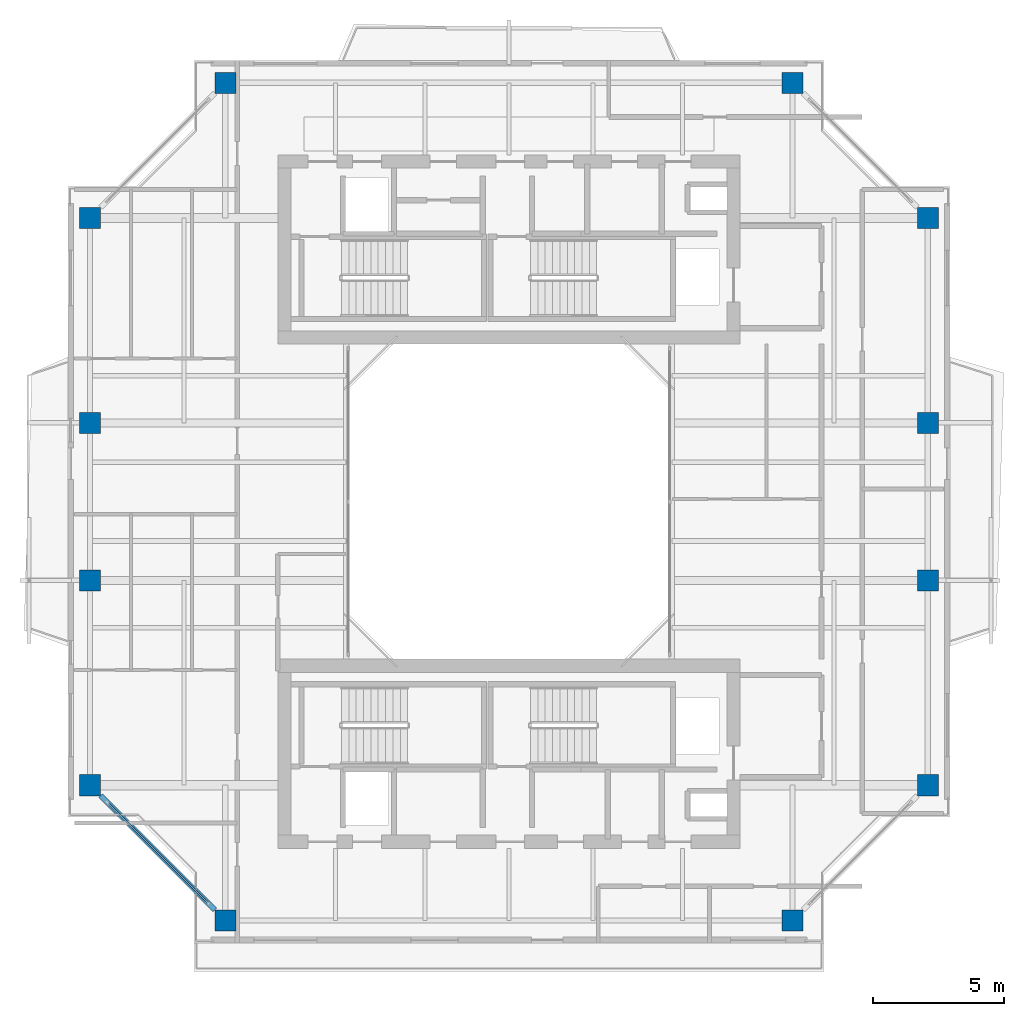
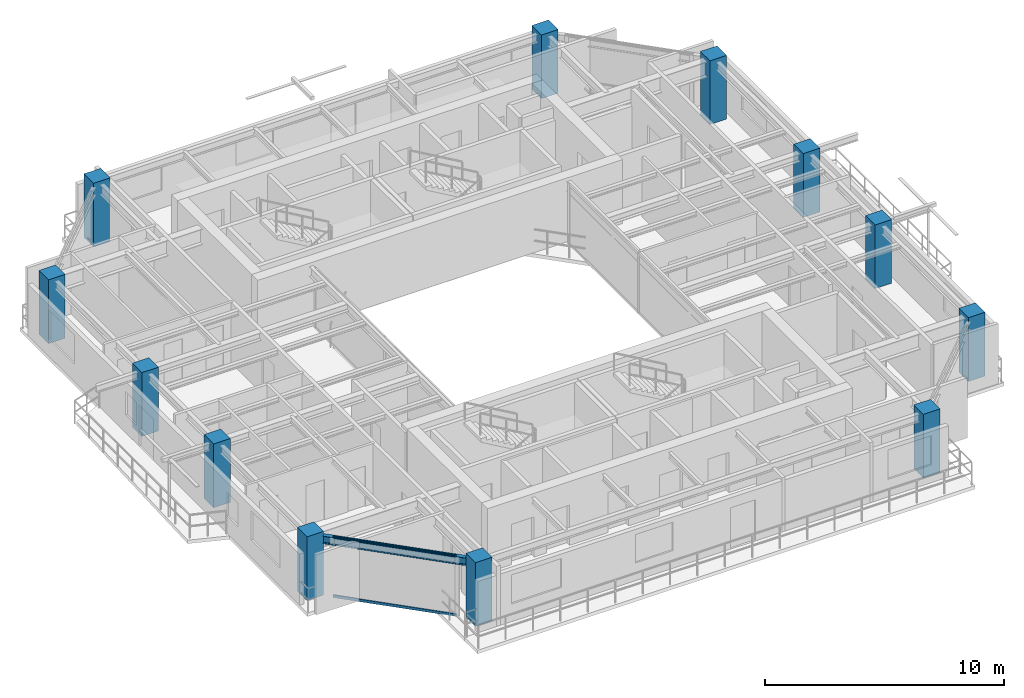
# One storey, part 1 of 16: 12 columns, 2 members, 1 beam, 1 element without a shape of its own.
"""IFC4 building model written with IfcOpenShell, lengths in metres."""

from ifc_helpers import new_model, si_unit, direction, frame, origin, origin_2d, place, context, subcontext, project, spatial, rectangle, i_section, extrude, source, transform, mapped, material, layer, layer_set, material_profile, profile_set, type_object, element, aggregate, save


model = new_model("IFC4")

# Units and contexts
model_context = context("Model", 3, precision=1e-05, world=origin(), true_north=direction((0.0, 1.0)))
body_context = subcontext(model_context, "Body", "Model", "MODEL_VIEW")
ifc_project = project(units=[si_unit("LENGTHUNIT", "METRE"), si_unit("AREAUNIT", "SQUARE_METRE"), si_unit("VOLUMEUNIT", "CUBIC_METRE"), si_unit("PLANEANGLEUNIT", "RADIAN"), si_unit("MASSUNIT", "GRAM", prefix="KILO"), si_unit("THERMODYNAMICTEMPERATUREUNIT", "KELVIN"), si_unit("POWERUNIT", "WATT")], contexts=[model_context])

# Site, building, storey
site_placement = place(None, origin())
site = spatial("IfcSite", under=ifc_project, at=site_placement, CompositionType="ELEMENT")
building_placement = place(site_placement, origin())
building = spatial("IfcBuilding", under=site, at=building_placement, Name="Qiaomeng Ring Towers", CompositionType="ELEMENT")
storey_placement = place(building_placement, frame((0.0, 0.0, 190.5)))
storey = spatial("IfcBuildingStorey", under=building, at=storey_placement, Name="L55", CompositionType="ELEMENT", Elevation=190.5)

# Columns
ifc_material_1 = material(Name="Concrete C40", Category="concrete")
ifc_material_profile_1 = material_profile(ifc_material_1, rectangle(XDim=0.800048828125, YDim=0.800048828125, at=origin_2d()), Name="RC COL 800x800")
ifc_profile_set_1 = profile_set([ifc_material_profile_1], Name="Concrete C40")
column_type = type_object("IfcColumnType", Name="STR-COL-800-C40", PredefinedType="COLUMN", material=ifc_profile_set_1)
shared_shape_1 = source(origin(), body_context, "Body", "SweptSolid", [
    extrude(rectangle(XDim=0.800048828125, YDim=0.800048828125, at=origin_2d()), origin(), (0.0, 0.0, 1.0), 3.25),
])
for number, where, z_axis, x_axis, name in (
    (1, (8.199951171875, 7.050048828125, 0.0), (0.0, 0.0, 1.0), (1.0, 0.0, 0.0), "L55 column STR-COL-L55-T1-S1"),
    (2, (29.800048828125, 7.050048828125, 0.0), (0.0, 0.0, 1.0), (1.0, 0.0, 0.0), "L55 column STR-COL-L55-T1-S2"),
    (3, (34.949951171875, 12.199951171875, 0.0), (0.0, 0.0, 1.0), (1.0, 0.0, 0.0), "L55 column STR-COL-L55-T1-E1"),
    (4, (34.949951171875, 20.0, 0.0), (0.0, 0.0, 1.0), (1.0, 0.0, 0.0), "L55 column STR-COL-L55-T1-E2"),
    (5, (34.949951171875, 26.0, 0.0), (0.0, 0.0, 1.0), (1.0, 0.0, 0.0), "L55 column STR-COL-L55-T1-E3"),
    (6, (34.949951171875, 33.800048828125, 0.0), (0.0, 0.0, 1.0), (1.0, 0.0, 0.0), "L55 column STR-COL-L55-T1-E4"),
    (7, (29.800048828125, 38.949951171875, 0.0), (0.0, 0.0, 1.0), (1.0, 0.0, 0.0), "L55 column STR-COL-L55-T1-N2"),
    (8, (8.199951171875, 38.949951171875, 0.0), (0.0, 0.0, 1.0), (1.0, 0.0, 0.0), "L55 column STR-COL-L55-T1-N1"),
    (9, (3.050048828125, 33.800048828125, 0.0), (0.0, 0.0, 1.0), (1.0, 0.0, 0.0), "L55 column STR-COL-L55-T1-W4"),
    (10, (3.050048828125, 26.0, 0.0), (0.0, 0.0, 1.0), (1.0, 0.0, 0.0), "L55 column STR-COL-L55-T1-W3"),
    (11, (3.050048828125, 20.0, 0.0), (0.0, 0.0, 1.0), (1.0, 0.0, 0.0), "L55 column STR-COL-L55-T1-W2"),
    (12, (3.050048828125, 12.199951171875, 0.0), (0.0, 0.0, 1.0), (1.0, 0.0, 0.0), "L55 column STR-COL-L55-T1-W1"),
):
    element("IfcColumn", number, at=place(storey_placement, frame(where, z_axis=z_axis, x_axis=x_axis)), inside=storey, type_object=column_type, Name=name, PredefinedType="COLUMN", context=body_context, shape_type="MappedRepresentation", body=[
        mapped(shared_shape_1, transform((0.0, 0.0, 0.0), x_axis=(1.0, 0.0, 0.0), y_axis=(0.0, 1.0, 0.0), z_axis=(0.0, 0.0, 1.0), scale=1.0)),
    ])

# Beam
ifc_material_2 = material(Name="Steel Q355B", Category="steel")
ifc_material_profile_2 = material_profile(ifc_material_2, i_section(OverallWidth=0.198974609375, OverallDepth=0.39599609375, WebThickness=0.007080078125, FlangeThickness=0.010986328125, FilletRadius=0.01611328125, at=origin_2d()), Name="HN 396x199x7x11")
ifc_profile_set_2 = profile_set([ifc_material_profile_2], Name="Steel Q355B")
beam_type = type_object("IfcBeamType", Name="STR-BM-HN396", PredefinedType="SPANDREL", material=ifc_profile_set_2)
shared_shape_2 = source(origin(), body_context, "Body", "SweptSolid", [
    extrude(i_section(OverallWidth=0.198974609375, OverallDepth=0.39599609375, WebThickness=0.007080078125, FlangeThickness=0.010986328125, FilletRadius=0.01611328125, at=origin_2d()), origin(), (0.0, 0.0, 1.0), 6.154052734375),
])
beam_placement = place(storey_placement, frame((3.44921875, 11.80078125, 2.8720703125), z_axis=(0.707106781187, -0.707106781187, 0.0), x_axis=(0.707106781187, 0.707106781187, 0.0)))
element("IfcBeam", 13, at=beam_placement, inside=storey, type_object=beam_type, Name="L55 beam STR-SP-L55-T1-W1-S1", PredefinedType="SPANDREL", context=body_context, shape_type="MappedRepresentation", body=[
    mapped(shared_shape_2, transform((0.0, 0.0, 0.0), x_axis=(1.0, 0.0, 0.0), y_axis=(0.0, 1.0, 0.0), z_axis=(0.0, 0.0, 1.0), scale=1.0)),
])

# Curtain wall, members
ifc_material_3 = material(Name="Fluorocarbon dark-grey aluminium", Category="aluminium")
ifc_layer = layer(ifc_material_3, 0.14990234375, Name="Fluorocarbon dark-grey aluminium")
ifc_layer_set = layer_set([ifc_layer], Name="Fluorocarbon dark-grey aluminium")
curtain_wall_type = type_object("IfcCurtainWallType", Name="ARC-CW-3", PredefinedType="NOTDEFINED", material=ifc_layer_set)
curtain_wall_placement = place(storey_placement, origin())
curtain_wall = element("IfcCurtainWall", 14, at=curtain_wall_placement, inside=storey, type_object=curtain_wall_type, Name="L55 Curtain Wall CW3", PredefinedType="NOTDEFINED")
ifc_material_profile_3 = material_profile(ifc_material_3, rectangle(XDim=0.06494140625, YDim=0.1298828125, at=origin_2d()), Name="ALU TRAN 65x130")
ifc_profile_set_3 = profile_set([ifc_material_profile_3], Name="Fluorocarbon dark-grey aluminium")
member_type = type_object("IfcMemberType", Name="ARC-CWT-120", PredefinedType="USERDEFINED", material=ifc_profile_set_3)
shared_shape_3 = source(origin(), body_context, "Body", "SweptSolid", [
    extrude(rectangle(XDim=0.06494140625, YDim=0.1298828125, at=origin_2d()), origin(), (0.0, 0.0, 1.0), 5.3330078125),
])
member_1_placement = place(storey_placement, frame((3.739501953125, 11.510498046875, 0.032470703125), z_axis=(0.707106781187, -0.707106781187, 0.0), x_axis=(0.707106781187, 0.707106781187, 0.0)))
member_1 = element("IfcMember", 15, at=member_1_placement, type_object=member_type, Name="CW3 transom 1.1", ObjectType="TRANSOM", PredefinedType="USERDEFINED", context=body_context, shape_type="MappedRepresentation", body=[
    mapped(shared_shape_3, transform((0.0, 0.0, 0.0), x_axis=(1.0, 0.0, 0.0), y_axis=(0.0, 1.0, 0.0), z_axis=(0.0, 0.0, 1.0), scale=1.0)),
])
member_2_placement = place(storey_placement, frame((3.739501953125, 11.510498046875, 3.03759765625), z_axis=(0.707106781187, -0.707106781187, 0.0), x_axis=(0.707106781187, 0.707106781187, 0.0)))
member_2 = element("IfcMember", 16, at=member_2_placement, type_object=member_type, Name="CW3 transom 1.2", ObjectType="TRANSOM", PredefinedType="USERDEFINED", context=body_context, shape_type="MappedRepresentation", body=[
    mapped(shared_shape_3, transform((0.0, 0.0, 0.0), x_axis=(1.0, 0.0, 0.0), y_axis=(0.0, 1.0, 0.0), z_axis=(0.0, 0.0, 1.0), scale=1.0)),
])
aggregate(curtain_wall, [member_1, member_2])

save(model, "model.ifc")
